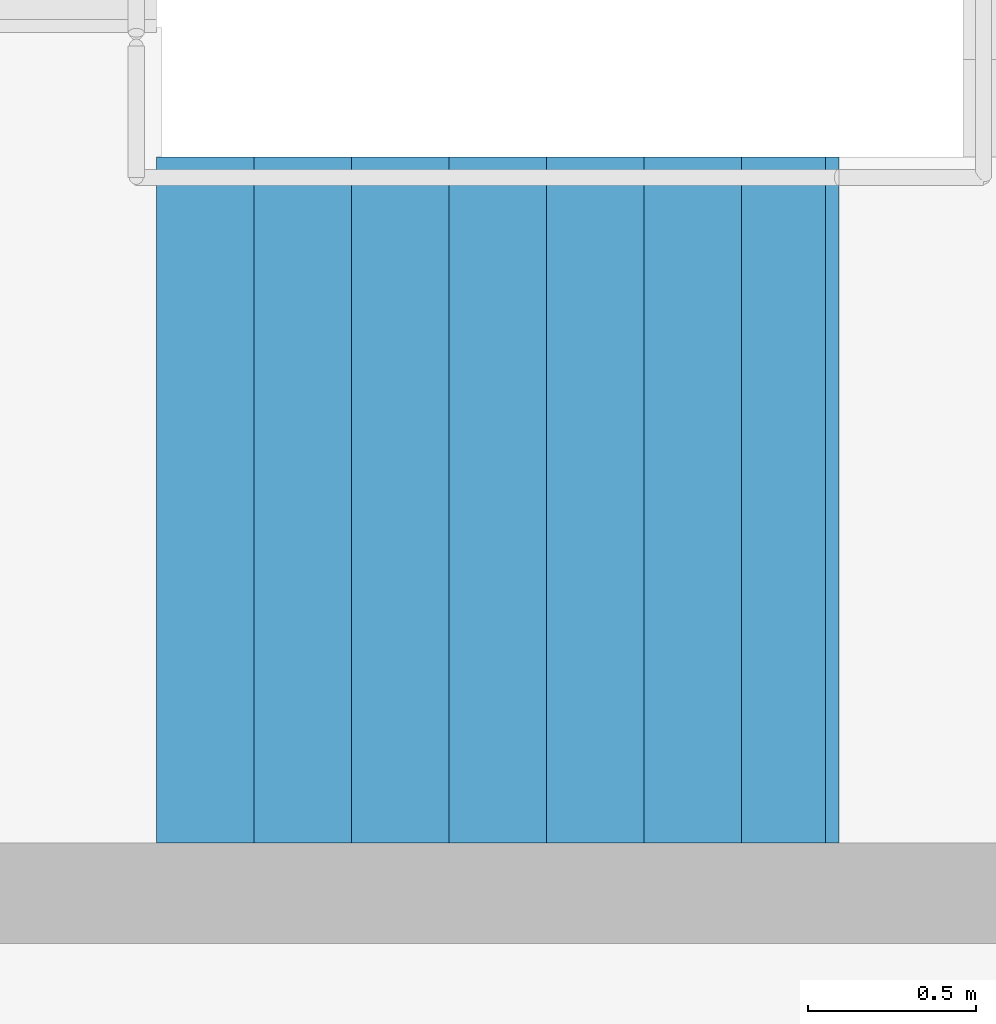
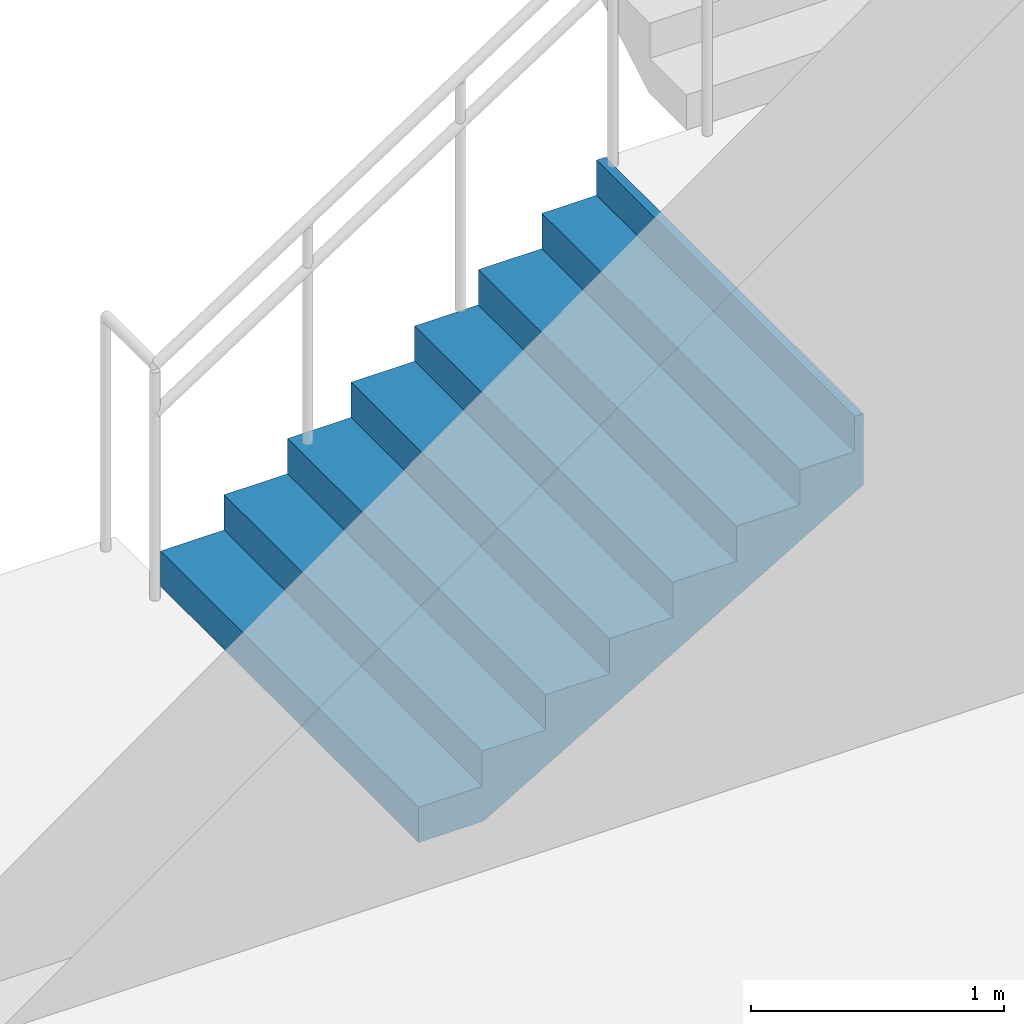
# One storey, part 67 of 74: 1 stair flight, 1 element without a shape of its own.
"""IFC4 building model written with IfcOpenShell, lengths in metres."""

from ifc_helpers import new_model, si_unit, direction, frame, origin, place, context, subcontext, project, spatial, triangles, material, type_object, element, aggregate, save


model = new_model("IFC4")

# Units and contexts
model_context = context("Model", 3, precision=1e-05, world=origin(), true_north=direction((0.0, 1.0)))
body_context = subcontext(model_context, "Body", "Model", "MODEL_VIEW")
ifc_project = project(units=[si_unit("LENGTHUNIT", "METRE"), si_unit("AREAUNIT", "SQUARE_METRE"), si_unit("VOLUMEUNIT", "CUBIC_METRE"), si_unit("PLANEANGLEUNIT", "RADIAN"), si_unit("MASSUNIT", "GRAM", prefix="KILO")], contexts=[model_context])

# Site, building, storey
site_placement = place(None, origin())
site = spatial("IfcSite", under=ifc_project, at=site_placement, CompositionType="ELEMENT")
building_placement = place(site_placement, origin())
building = spatial("IfcBuilding", under=site, at=building_placement, Name="Sillaruma Civic Art Gallery", CompositionType="ELEMENT")
storey_placement = place(building_placement, frame((0.0, 0.0, 5.43994140625)))
storey = spatial("IfcBuildingStorey", under=building, at=storey_placement, Name="L01", CompositionType="ELEMENT", Elevation=5.43994140625)

# Stair, stair flight
ifc_material = material(Name="Concrete H35 (35 MPa)", Category="concrete")
stair_type = type_object("IfcStairType", Name="STR-4F-32", PredefinedType="USERDEFINED", material=ifc_material)
stair_placement = place(storey_placement, origin())
stair = element("IfcStair", 1, at=stair_placement, inside=storey, type_object=stair_type, Name="Protected Exit Stair ST-05 (East Wing) (L01)", ObjectType="THREE_RETURN_STAIR", PredefinedType="USERDEFINED")
stair_flight_type = type_object("IfcStairFlightType", Name="SFL-STR-8", PredefinedType="STRAIGHT", material=ifc_material)
stair_flight_placement = place(storey_placement, frame((144.199951171875, 12.419921875, 0.0), z_axis=(0.0, 0.0, 1.0), x_axis=(1.0, 0.0, 0.0)))
stair_flight = element("IfcStairFlight", 2, at=stair_flight_placement, type_object=stair_flight_type, Name="ST-05 flight 1", NumberOfRisers=8, NumberOfTreads=7, PredefinedType="STRAIGHT", RiserHeight=0.17, TreadLength=0.29, context=body_context, shape_type="Tessellation", body=[
    triangles([(0.0, -1.02001953125, 0.0), (0.29, -1.02001953125, 0.0), (0.296443, -1.02001953125, 0.0), (0.58, -1.02001953125, 0.166223), (0.87, -1.02001953125, 0.336223), (1.16, -1.02001953125, 0.506223), (1.45, -1.02001953125, 0.676223), (1.74, -1.02001953125, 0.846223), (1.990029, -1.02001953125, 0.992792), (2.030029, -1.02001953125, 1.01624), (2.030029, -1.02001953125, 1.36), (1.990029, -1.02001953125, 1.36), (1.990029, -1.02001953125, 1.19), (1.74, -1.02001953125, 1.19), (1.74, -1.02001953125, 1.02), (1.45, -1.02001953125, 1.02), (1.45, -1.02001953125, 0.85), (1.16, -1.02001953125, 0.85), (1.16, -1.02001953125, 0.68), (0.87, -1.02001953125, 0.68), (0.87, -1.02001953125, 0.51), (0.58, -1.02001953125, 0.51), (0.58, -1.02001953125, 0.34), (0.296443, -1.02001953125, 0.34), (0.29, -1.02001953125, 0.34), (0.29, -1.02001953125, 0.17), (0.0, -1.02001953125, 0.17), (0.0, -0.05, 0.0), (0.29, -0.05, 0.0), (0.296443, -0.05, 0.0), (0.58, -0.05, 0.166223), (0.87, -0.05, 0.336223), (1.16, -0.05, 0.506223), (1.45, -0.05, 0.676223), (1.74, -0.05, 0.846223), (1.990029, -0.05, 0.992792), (2.030029, -0.05, 1.01624), (2.030029, -0.05, 1.36), (1.990029, -0.05, 1.36), (1.990029, -0.05, 1.19), (1.74, -0.05, 1.19), (1.74, -0.05, 1.02), (1.45, -0.05, 1.02), (1.45, -0.05, 0.85), (1.16, -0.05, 0.85), (1.16, -0.05, 0.68), (0.87, -0.05, 0.68), (0.87, -0.05, 0.51), (0.58, -0.05, 0.51), (0.58, -0.05, 0.34), (0.296443, -0.05, 0.34), (0.29, -0.05, 0.34), (0.29, -0.05, 0.17), (0.0, -0.05, 0.17), (0.0, -0.0375, 0.0), (0.29, -0.0375, 0.0), (0.296443, -0.0375, 0.0), (0.58, -0.0375, 0.166223), (0.87, -0.0375, 0.336223), (1.16, -0.0375, 0.506223), (1.45, -0.0375, 0.676223), (1.74, -0.0375, 0.846223), (1.990029, -0.0375, 0.992792), (2.030029, -0.0375, 1.01624), (2.030029, -0.0375, 1.36), (1.990029, -0.0375, 1.36), (1.990029, -0.0375, 1.19), (1.74, -0.0375, 1.19), (1.74, -0.0375, 1.02), (1.45, -0.0375, 1.02), (1.45, -0.0375, 0.85), (1.16, -0.0375, 0.85), (1.16, -0.0375, 0.68), (0.87, -0.0375, 0.68), (0.87, -0.0375, 0.51), (0.58, -0.0375, 0.51), (0.58, -0.0375, 0.34), (0.296443, -0.0375, 0.34), (0.29, -0.0375, 0.34), (0.29, -0.0375, 0.17), (0.0, -0.0375, 0.17), (0.0, -0.025, 0.0), (0.29, -0.025, 0.0), (0.296443, -0.025, 0.0), (0.58, -0.025, 0.166223), (0.87, -0.025, 0.336223), (1.16, -0.025, 0.506223), (1.45, -0.025, 0.676223), (1.74, -0.025, 0.846223), (1.990029, -0.025, 0.992792), (2.030029, -0.025, 1.01624), (2.030029, -0.025, 1.36), (1.990029, -0.025, 1.36), (1.990029, -0.025, 1.19), (1.74, -0.025, 1.19), (1.74, -0.025, 1.02), (1.45, -0.025, 1.02), (1.45, -0.025, 0.85), (1.16, -0.025, 0.85), (1.16, -0.025, 0.68), (0.87, -0.025, 0.68), (0.87, -0.025, 0.51), (0.58, -0.025, 0.51), (0.58, -0.025, 0.34), (0.296443, -0.025, 0.34), (0.29, -0.025, 0.34), (0.29, -0.025, 0.17), (0.0, -0.025, 0.17), (0.0, -0.0125, 0.0), (0.29, -0.0125, 0.0), (0.296443, -0.0125, 0.0), (0.58, -0.0125, 0.166223), (0.87, -0.0125, 0.336223), (1.16, -0.0125, 0.506223), (1.45, -0.0125, 0.676223), (1.74, -0.0125, 0.846223), (1.990029, -0.0125, 0.992792), (2.030029, -0.0125, 1.01624), (2.030029, -0.0125, 1.36), (1.990029, -0.0125, 1.36), (1.990029, -0.0125, 1.19), (1.74, -0.0125, 1.19), (1.74, -0.0125, 1.02), (1.45, -0.0125, 1.02), (1.45, -0.0125, 0.85), (1.16, -0.0125, 0.85), (1.16, -0.0125, 0.68), (0.87, -0.0125, 0.68), (0.87, -0.0125, 0.51), (0.58, -0.0125, 0.51), (0.58, -0.0125, 0.34), (0.296443, -0.0125, 0.34), (0.29, -0.0125, 0.34), (0.29, -0.0125, 0.17), (0.0, -0.0125, 0.17), (0.0, 0.0, 0.0), (0.29, 0.0, 0.0), (0.296443, 0.0, 0.0), (0.58, 0.0, 0.166223), (0.87, 0.0, 0.336223), (1.16, 0.0, 0.506223), (1.45, 0.0, 0.676223), (1.74, 0.0, 0.846223), (1.990029, 0.0, 0.992792), (2.030029, 0.0, 1.01624), (2.030029, 0.0, 1.36), (1.990029, 0.0, 1.36), (1.990029, 0.0, 1.19), (1.74, 0.0, 1.19), (1.74, 0.0, 1.02), (1.45, 0.0, 1.02), (1.45, 0.0, 0.85), (1.16, 0.0, 0.85), (1.16, 0.0, 0.68), (0.87, 0.0, 0.68), (0.87, 0.0, 0.51), (0.58, 0.0, 0.51), (0.58, 0.0, 0.34), (0.296443, 0.0, 0.34), (0.29, 0.0, 0.34), (0.29, 0.0, 0.17), (0.0, 0.0, 0.17), (0.0, 0.0125, 0.0), (0.29, 0.0125, 0.0), (0.296443, 0.0125, 0.0), (0.58, 0.0125, 0.166223), (0.87, 0.0125, 0.336223), (1.16, 0.0125, 0.506223), (1.45, 0.0125, 0.676223), (1.74, 0.0125, 0.846223), (1.990029, 0.0125, 0.992792), (2.030029, 0.0125, 1.01624), (2.030029, 0.0125, 1.36), (1.990029, 0.0125, 1.36), (1.990029, 0.0125, 1.19), (1.74, 0.0125, 1.19), (1.74, 0.0125, 1.02), (1.45, 0.0125, 1.02), (1.45, 0.0125, 0.85), (1.16, 0.0125, 0.85), (1.16, 0.0125, 0.68), (0.87, 0.0125, 0.68), (0.87, 0.0125, 0.51), (0.58, 0.0125, 0.51), (0.58, 0.0125, 0.34), (0.296443, 0.0125, 0.34), (0.29, 0.0125, 0.34), (0.29, 0.0125, 0.17), (0.0, 0.0125, 0.17), (0.0, 0.025, 0.0), (0.29, 0.025, 0.0), (0.296443, 0.025, 0.0), (0.58, 0.025, 0.166223), (0.87, 0.025, 0.336223), (1.16, 0.025, 0.506223), (1.45, 0.025, 0.676223), (1.74, 0.025, 0.846223), (1.990029, 0.025, 0.992792), (2.030029, 0.025, 1.01624), (2.030029, 0.025, 1.36), (1.990029, 0.025, 1.36), (1.990029, 0.025, 1.19), (1.74, 0.025, 1.19), (1.74, 0.025, 1.02), (1.45, 0.025, 1.02), (1.45, 0.025, 0.85), (1.16, 0.025, 0.85), (1.16, 0.025, 0.68), (0.87, 0.025, 0.68), (0.87, 0.025, 0.51), (0.58, 0.025, 0.51), (0.58, 0.025, 0.34), (0.296443, 0.025, 0.34), (0.29, 0.025, 0.34), (0.29, 0.025, 0.17), (0.0, 0.025, 0.17), (0.0, 0.0375, 0.0), (0.29, 0.0375, 0.0), (0.296443, 0.0375, 0.0), (0.58, 0.0375, 0.166223), (0.87, 0.0375, 0.336223), (1.16, 0.0375, 0.506223), (1.45, 0.0375, 0.676223), (1.74, 0.0375, 0.846223), (1.990029, 0.0375, 0.992792), (2.030029, 0.0375, 1.01624), (2.030029, 0.0375, 1.36), (1.990029, 0.0375, 1.36), (1.990029, 0.0375, 1.19), (1.74, 0.0375, 1.19), (1.74, 0.0375, 1.02), (1.45, 0.0375, 1.02), (1.45, 0.0375, 0.85), (1.16, 0.0375, 0.85), (1.16, 0.0375, 0.68), (0.87, 0.0375, 0.68), (0.87, 0.0375, 0.51), (0.58, 0.0375, 0.51), (0.58, 0.0375, 0.34), (0.296443, 0.0375, 0.34), (0.29, 0.0375, 0.34), (0.29, 0.0375, 0.17), (0.0, 0.0375, 0.17), (0.0, 0.05, 0.0), (0.29, 0.05, 0.0), (0.296443, 0.05, 0.0), (0.58, 0.05, 0.166223), (0.87, 0.05, 0.336223), (1.16, 0.05, 0.506223), (1.45, 0.05, 0.676223), (1.74, 0.05, 0.846223), (1.990029, 0.05, 0.992792), (2.030029, 0.05, 1.01624), (2.030029, 0.05, 1.36), (1.990029, 0.05, 1.36), (1.990029, 0.05, 1.19), (1.74, 0.05, 1.19), (1.74, 0.05, 1.02), (1.45, 0.05, 1.02), (1.45, 0.05, 0.85), (1.16, 0.05, 0.85), (1.16, 0.05, 0.68), (0.87, 0.05, 0.68), (0.87, 0.05, 0.51), (0.58, 0.05, 0.51), (0.58, 0.05, 0.34), (0.296443, 0.05, 0.34), (0.29, 0.05, 0.34), (0.29, 0.05, 0.17), (0.0, 0.05, 0.17), (0.0, 1.02001953125, 0.0), (0.29, 1.02001953125, 0.0), (0.296443, 1.02001953125, 0.0), (0.58, 1.02001953125, 0.166223), (0.87, 1.02001953125, 0.336223), (1.16, 1.02001953125, 0.506223), (1.45, 1.02001953125, 0.676223), (1.74, 1.02001953125, 0.846223), (1.990029, 1.02001953125, 0.992792), (2.030029, 1.02001953125, 1.01624), (2.030029, 1.02001953125, 1.36), (1.990029, 1.02001953125, 1.36), (1.990029, 1.02001953125, 1.19), (1.74, 1.02001953125, 1.19), (1.74, 1.02001953125, 1.02), (1.45, 1.02001953125, 1.02), (1.45, 1.02001953125, 0.85), (1.16, 1.02001953125, 0.85), (1.16, 1.02001953125, 0.68), (0.87, 1.02001953125, 0.68), (0.87, 1.02001953125, 0.51), (0.58, 1.02001953125, 0.51), (0.58, 1.02001953125, 0.34), (0.296443, 1.02001953125, 0.34), (0.29, 1.02001953125, 0.34), (0.29, 1.02001953125, 0.17), (0.0, 1.02001953125, 0.17)], [[1, 2, 26], [1, 26, 27], [2, 3, 24], [2, 24, 26], [26, 24, 25], [3, 4, 23], [3, 23, 24], [4, 5, 21], [4, 21, 23], [23, 21, 22], [5, 6, 19], [5, 19, 21], [21, 19, 20], [6, 7, 17], [6, 17, 19], [19, 17, 18], [7, 8, 15], [7, 15, 17], [17, 15, 16], [8, 9, 13], [8, 13, 15], [15, 13, 14], [9, 10, 11], [9, 11, 13], [13, 11, 12], [296, 272, 271], [297, 296, 271], [294, 273, 272], [296, 294, 272], [295, 294, 296], [293, 274, 273], [294, 293, 273], [291, 275, 274], [293, 291, 274], [292, 291, 293], [289, 276, 275], [291, 289, 275], [290, 289, 291], [287, 277, 276], [289, 287, 276], [288, 287, 289], [285, 278, 277], [287, 285, 277], [286, 285, 287], [283, 279, 278], [285, 283, 278], [284, 283, 285], [281, 280, 279], [283, 281, 279], [282, 281, 283], [2, 1, 28], [2, 28, 29], [3, 2, 29], [3, 29, 30], [4, 3, 30], [4, 30, 31], [5, 4, 31], [5, 31, 32], [6, 5, 32], [6, 32, 33], [7, 6, 33], [7, 33, 34], [8, 7, 34], [8, 34, 35], [9, 8, 35], [9, 35, 36], [10, 9, 36], [10, 36, 37], [11, 10, 37], [11, 37, 38], [12, 11, 38], [12, 38, 39], [13, 12, 39], [13, 39, 40], [14, 13, 40], [14, 40, 41], [15, 14, 41], [15, 41, 42], [16, 15, 42], [16, 42, 43], [17, 16, 43], [17, 43, 44], [18, 17, 44], [18, 44, 45], [19, 18, 45], [19, 45, 46], [20, 19, 46], [20, 46, 47], [21, 20, 47], [21, 47, 48], [22, 21, 48], [22, 48, 49], [23, 22, 49], [23, 49, 50], [24, 23, 50], [24, 50, 51], [25, 24, 51], [25, 51, 52], [26, 25, 52], [26, 52, 53], [27, 26, 53], [27, 53, 54], [1, 27, 54], [1, 54, 28], [29, 28, 55], [29, 55, 56], [30, 29, 56], [30, 56, 57], [31, 30, 57], [31, 57, 58], [32, 31, 58], [32, 58, 59], [33, 32, 59], [33, 59, 60], [34, 33, 60], [34, 60, 61], [35, 34, 61], [35, 61, 62], [36, 35, 62], [36, 62, 63], [37, 36, 63], [37, 63, 64], [38, 37, 64], [38, 64, 65], [39, 38, 65], [39, 65, 66], [40, 39, 66], [40, 66, 67], [41, 40, 67], [41, 67, 68], [42, 41, 68], [42, 68, 69], [43, 42, 69], [43, 69, 70], [44, 43, 70], [44, 70, 71], [45, 44, 71], [45, 71, 72], [46, 45, 72], [46, 72, 73], [47, 46, 73], [47, 73, 74], [48, 47, 74], [48, 74, 75], [49, 48, 75], [49, 75, 76], [50, 49, 76], [50, 76, 77], [51, 50, 77], [51, 77, 78], [52, 51, 78], [52, 78, 79], [53, 52, 79], [53, 79, 80], [54, 53, 80], [54, 80, 81], [28, 54, 81], [28, 81, 55], [56, 55, 82], [56, 82, 83], [57, 56, 83], [57, 83, 84], [58, 57, 84], [58, 84, 85], [59, 58, 85], [59, 85, 86], [60, 59, 86], [60, 86, 87], [61, 60, 87], [61, 87, 88], [62, 61, 88], [62, 88, 89], [63, 62, 89], [63, 89, 90], [64, 63, 90], [64, 90, 91], [65, 64, 91], [65, 91, 92], [66, 65, 92], [66, 92, 93], [67, 66, 93], [67, 93, 94], [68, 67, 94], [68, 94, 95], [69, 68, 95], [69, 95, 96], [70, 69, 96], [70, 96, 97], [71, 70, 97], [71, 97, 98], [72, 71, 98], [72, 98, 99], [73, 72, 99], [73, 99, 100], [74, 73, 100], [74, 100, 101], [75, 74, 101], [75, 101, 102], [76, 75, 102], [76, 102, 103], [77, 76, 103], [77, 103, 104], [78, 77, 104], [78, 104, 105], [79, 78, 105], [79, 105, 106], [80, 79, 106], [80, 106, 107], [81, 80, 107], [81, 107, 108], [55, 81, 108], [55, 108, 82], [83, 82, 109], [83, 109, 110], [84, 83, 110], [84, 110, 111], [85, 84, 111], [85, 111, 112], [86, 85, 112], [86, 112, 113], [87, 86, 113], [87, 113, 114], [88, 87, 114], [88, 114, 115], [89, 88, 115], [89, 115, 116], [90, 89, 116], [90, 116, 117], [91, 90, 117], [91, 117, 118], [92, 91, 118], [92, 118, 119], [93, 92, 119], [93, 119, 120], [94, 93, 120], [94, 120, 121], [95, 94, 121], [95, 121, 122], [96, 95, 122], [96, 122, 123], [97, 96, 123], [97, 123, 124], [98, 97, 124], [98, 124, 125], [99, 98, 125], [99, 125, 126], [100, 99, 126], [100, 126, 127], [101, 100, 127], [101, 127, 128], [102, 101, 128], [102, 128, 129], [103, 102, 129], [103, 129, 130], [104, 103, 130], [104, 130, 131], [105, 104, 131], [105, 131, 132], [106, 105, 132], [106, 132, 133], [107, 106, 133], [107, 133, 134], [108, 107, 134], [108, 134, 135], [82, 108, 135], [82, 135, 109], [110, 109, 136], [110, 136, 137], [111, 110, 137], [111, 137, 138], [112, 111, 138], [112, 138, 139], [113, 112, 139], [113, 139, 140], [114, 113, 140], [114, 140, 141], [115, 114, 141], [115, 141, 142], [116, 115, 142], [116, 142, 143], [117, 116, 143], [117, 143, 144], [118, 117, 144], [118, 144, 145], [119, 118, 145], [119, 145, 146], [120, 119, 146], [120, 146, 147], [121, 120, 147], [121, 147, 148], [122, 121, 148], [122, 148, 149], [123, 122, 149], [123, 149, 150], [124, 123, 150], [124, 150, 151], [125, 124, 151], [125, 151, 152], [126, 125, 152], [126, 152, 153], [127, 126, 153], [127, 153, 154], [128, 127, 154], [128, 154, 155], [129, 128, 155], [129, 155, 156], [130, 129, 156], [130, 156, 157], [131, 130, 157], [131, 157, 158], [132, 131, 158], [132, 158, 159], [133, 132, 159], [133, 159, 160], [134, 133, 160], [134, 160, 161], [135, 134, 161], [135, 161, 162], [109, 135, 162], [109, 162, 136], [137, 136, 163], [137, 163, 164], [138, 137, 164], [138, 164, 165], [139, 138, 165], [139, 165, 166], [140, 139, 166], [140, 166, 167], [141, 140, 167], [141, 167, 168], [142, 141, 168], [142, 168, 169], [143, 142, 169], [143, 169, 170], [144, 143, 170], [144, 170, 171], [145, 144, 171], [145, 171, 172], [146, 145, 172], [146, 172, 173], [147, 146, 173], [147, 173, 174], [148, 147, 174], [148, 174, 175], [149, 148, 175], [149, 175, 176], [150, 149, 176], [150, 176, 177], [151, 150, 177], [151, 177, 178], [152, 151, 178], [152, 178, 179], [153, 152, 179], [153, 179, 180], [154, 153, 180], [154, 180, 181], [155, 154, 181], [155, 181, 182], [156, 155, 182], [156, 182, 183], [157, 156, 183], [157, 183, 184], [158, 157, 184], [158, 184, 185], [159, 158, 185], [159, 185, 186], [160, 159, 186], [160, 186, 187], [161, 160, 187], [161, 187, 188], [162, 161, 188], [162, 188, 189], [136, 162, 189], [136, 189, 163], [164, 163, 190], [164, 190, 191], [165, 164, 191], [165, 191, 192], [166, 165, 192], [166, 192, 193], [167, 166, 193], [167, 193, 194], [168, 167, 194], [168, 194, 195], [169, 168, 195], [169, 195, 196], [170, 169, 196], [170, 196, 197], [171, 170, 197], [171, 197, 198], [172, 171, 198], [172, 198, 199], [173, 172, 199], [173, 199, 200], [174, 173, 200], [174, 200, 201], [175, 174, 201], [175, 201, 202], [176, 175, 202], [176, 202, 203], [177, 176, 203], [177, 203, 204], [178, 177, 204], [178, 204, 205], [179, 178, 205], [179, 205, 206], [180, 179, 206], [180, 206, 207], [181, 180, 207], [181, 207, 208], [182, 181, 208], [182, 208, 209], [183, 182, 209], [183, 209, 210], [184, 183, 210], [184, 210, 211], [185, 184, 211], [185, 211, 212], [186, 185, 212], [186, 212, 213], [187, 186, 213], [187, 213, 214], [188, 187, 214], [188, 214, 215], [189, 188, 215], [189, 215, 216], [163, 189, 216], [163, 216, 190], [191, 190, 217], [191, 217, 218], [192, 191, 218], [192, 218, 219], [193, 192, 219], [193, 219, 220], [194, 193, 220], [194, 220, 221], [195, 194, 221], [195, 221, 222], [196, 195, 222], [196, 222, 223], [197, 196, 223], [197, 223, 224], [198, 197, 224], [198, 224, 225], [199, 198, 225], [199, 225, 226], [200, 199, 226], [200, 226, 227], [201, 200, 227], [201, 227, 228], [202, 201, 228], [202, 228, 229], [203, 202, 229], [203, 229, 230], [204, 203, 230], [204, 230, 231], [205, 204, 231], [205, 231, 232], [206, 205, 232], [206, 232, 233], [207, 206, 233], [207, 233, 234], [208, 207, 234], [208, 234, 235], [209, 208, 235], [209, 235, 236], [210, 209, 236], [210, 236, 237], [211, 210, 237], [211, 237, 238], [212, 211, 238], [212, 238, 239], [213, 212, 239], [213, 239, 240], [214, 213, 240], [214, 240, 241], [215, 214, 241], [215, 241, 242], [216, 215, 242], [216, 242, 243], [190, 216, 243], [190, 243, 217], [218, 217, 244], [218, 244, 245], [219, 218, 245], [219, 245, 246], [220, 219, 246], [220, 246, 247], [221, 220, 247], [221, 247, 248], [222, 221, 248], [222, 248, 249], [223, 222, 249], [223, 249, 250], [224, 223, 250], [224, 250, 251], [225, 224, 251], [225, 251, 252], [226, 225, 252], [226, 252, 253], [227, 226, 253], [227, 253, 254], [228, 227, 254], [228, 254, 255], [229, 228, 255], [229, 255, 256], [230, 229, 256], [230, 256, 257], [231, 230, 257], [231, 257, 258], [232, 231, 258], [232, 258, 259], [233, 232, 259], [233, 259, 260], [234, 233, 260], [234, 260, 261], [235, 234, 261], [235, 261, 262], [236, 235, 262], [236, 262, 263], [237, 236, 263], [237, 263, 264], [238, 237, 264], [238, 264, 265], [239, 238, 265], [239, 265, 266], [240, 239, 266], [240, 266, 267], [241, 240, 267], [241, 267, 268], [242, 241, 268], [242, 268, 269], [243, 242, 269], [243, 269, 270], [217, 243, 270], [217, 270, 244], [245, 244, 271], [245, 271, 272], [246, 245, 272], [246, 272, 273], [247, 246, 273], [247, 273, 274], [248, 247, 274], [248, 274, 275], [249, 248, 275], [249, 275, 276], [250, 249, 276], [250, 276, 277], [251, 250, 277], [251, 277, 278], [252, 251, 278], [252, 278, 279], [253, 252, 279], [253, 279, 280], [254, 253, 280], [254, 280, 281], [255, 254, 281], [255, 281, 282], [256, 255, 282], [256, 282, 283], [257, 256, 283], [257, 283, 284], [258, 257, 284], [258, 284, 285], [259, 258, 285], [259, 285, 286], [260, 259, 286], [260, 286, 287], [261, 260, 287], [261, 287, 288], [262, 261, 288], [262, 288, 289], [263, 262, 289], [263, 289, 290], [264, 263, 290], [264, 290, 291], [265, 264, 291], [265, 291, 292], [266, 265, 292], [266, 292, 293], [267, 266, 293], [267, 293, 294], [268, 267, 294], [268, 294, 295], [269, 268, 295], [269, 295, 296], [270, 269, 296], [270, 296, 297], [244, 270, 297], [244, 297, 271]], closed=True),
])
aggregate(stair, [stair_flight])

save(model, "model.ifc")
